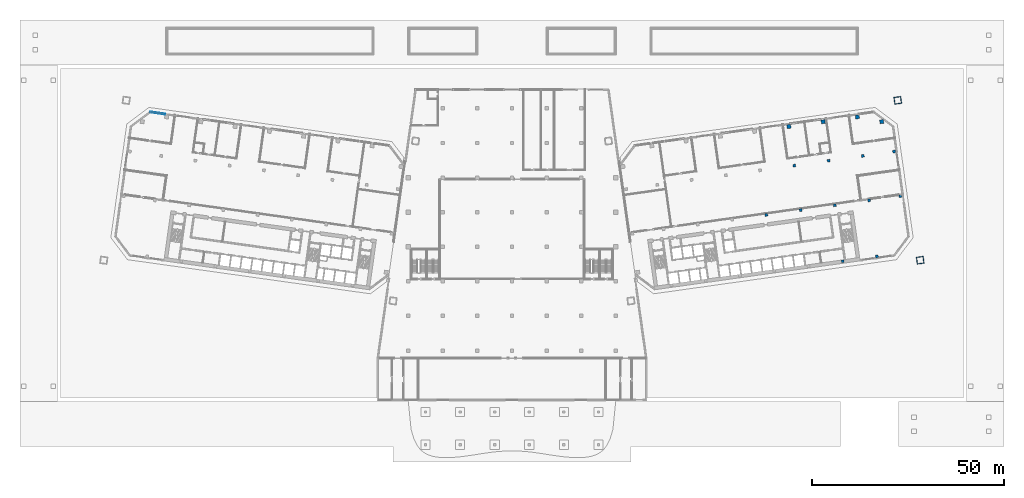
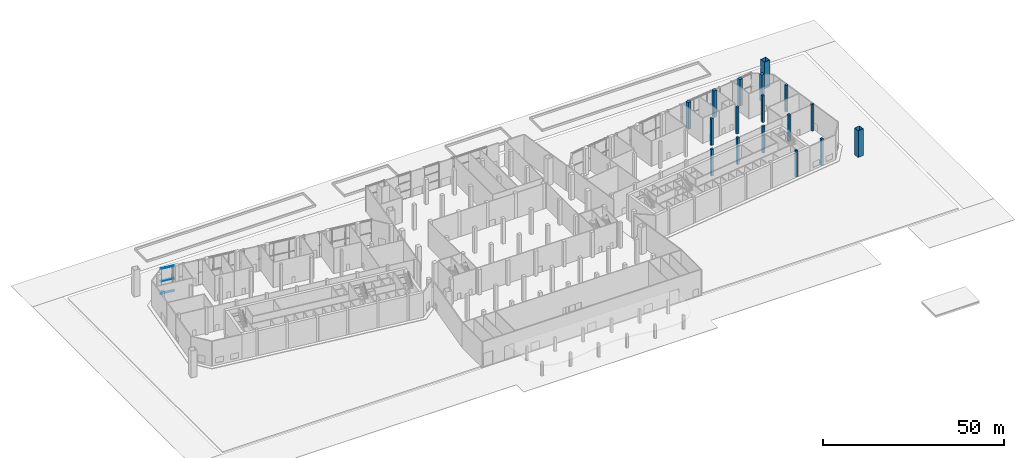
# One storey, part 3 of 34: 17 columns, 3 members, 1 element without a shape of its own.
"""IFC4 building model written with IfcOpenShell, lengths in metres."""

from ifc_helpers import new_model, si_unit, direction, frame, origin, origin_2d, place, context, subcontext, project, spatial, rectangle, hollow_rectangle, extrude, material, material_profile, profile_set, type_object, element, aggregate, save


model = new_model("IFC4")

# Units and contexts
model_context = context("Model", 3, precision=1e-05, world=origin(), true_north=direction((0.0, 1.0)))
body_context = subcontext(model_context, "Body", "Model", "MODEL_VIEW")
ifc_project = project(units=[si_unit("LENGTHUNIT", "METRE"), si_unit("AREAUNIT", "SQUARE_METRE"), si_unit("VOLUMEUNIT", "CUBIC_METRE"), si_unit("PLANEANGLEUNIT", "RADIAN"), si_unit("MASSUNIT", "GRAM", prefix="KILO")], contexts=[model_context])

# Site, building, storey
site_placement = place(None, origin())
site = spatial("IfcSite", under=ifc_project, at=site_placement, CompositionType="ELEMENT")
building_placement = place(site_placement, origin())
building = spatial("IfcBuilding", under=site, at=building_placement, Name="Mirante Cascada Hotel Towers", CompositionType="ELEMENT")
storey_placement = place(building_placement, origin())
storey = spatial("IfcBuildingStorey", under=building, at=storey_placement, Name="L00", CompositionType="ELEMENT", Elevation=0.0)

# Columns
ifc_material_1 = material(Name="Steel ASTM A572 Gr 50", Category="steel")
ifc_material_profile_1 = material_profile(ifc_material_1, hollow_rectangle(XDim=1.8, YDim=1.8, WallThickness=0.08, at=origin_2d()), Name="Box column 1800x1800x80 ASTM A572 Gr 50")
ifc_profile_set_1 = profile_set([ifc_material_profile_1], Name="Steel ASTM A572 Gr 50")
column_type_1 = type_object("IfcColumnType", Name="Box column 1800x1800x80 ASTM A572 Gr 50", PredefinedType="COLUMN", material=ifc_profile_set_1)
for number, where, z_axis, x_axis, name in (
    (1, (100.3572, 29.0944, 0.0), (0.0, 0.0, 1.0), (0.9902681, 0.1391731, 0.0), "Mega column MC3 T2 L00"),
    (2, (106.2025, -12.4968, 0.0), (0.0, 0.0, 1.0), (0.9902681, 0.1391731, 0.0), "Mega column MC4 T2 L00"),
):
    element("IfcColumn", number, at=place(storey_placement, frame(where, z_axis=z_axis, x_axis=x_axis)), inside=storey, type_object=column_type_1, Name=name, PredefinedType="COLUMN", context=body_context, shape_type="SweptSolid", body=[
        extrude(hollow_rectangle(XDim=1.8, YDim=1.8, WallThickness=0.08, at=origin_2d()), origin(), (0.0, 0.0, 1.0), 9.0),
    ])
ifc_material_2 = material(Name="Concrete C60/75", Category="concrete")
ifc_material_profile_2 = material_profile(ifc_material_2, rectangle(XDim=1.0, YDim=1.0, at=origin_2d()), Name="RC column 1000x1000 C60/75")
ifc_profile_set_2 = profile_set([ifc_material_profile_2], Name="Concrete C60/75")
column_type_2 = type_object("IfcColumnType", Name="RC column 1000x1000 C60/75", PredefinedType="COLUMN", material=ifc_profile_set_2)
for number, where, z_axis, x_axis, name in (
    (3, (72.0291, 22.2857, 0.0), (0.0, 0.0, 1.0), (0.9902681, 0.1391731, 0.0), "Column T2 L00 21"),
    (4, (80.9415, 23.5382, 0.0), (0.0, 0.0, 1.0), (0.9902681, 0.1391731, 0.0), "Column T2 L00 25"),
    (5, (89.8539, 24.7908, 0.0), (0.0, 0.0, 1.0), (0.9902681, 0.1391731, 0.0), "Column T2 L00 29"),
    (6, (96.1868, 23.5602, 0.0), (0.0, 0.0, 1.0), (0.9902681, 0.1391731, 0.0), "Column T2 L00 33"),
):
    element("IfcColumn", number, at=place(storey_placement, frame(where, z_axis=z_axis, x_axis=x_axis)), inside=storey, type_object=column_type_2, Name=name, PredefinedType="COLUMN", context=body_context, shape_type="SweptSolid", body=[
        extrude(rectangle(XDim=1.0, YDim=1.0, at=origin_2d()), origin(), (0.0, 0.0, 1.0), 9.0),
    ])
ifc_material_3 = material(Name="Concrete C60/75", Category="concrete")
ifc_material_profile_3 = material_profile(ifc_material_3, rectangle(XDim=0.7, YDim=0.7, at=origin_2d()), Name="RC column 700x700 C60/75")
ifc_profile_set_3 = profile_set([ifc_material_profile_3], Name="Concrete C60/75")
column_type_3 = type_object("IfcColumnType", Name="RC column 700x700 C60/75", PredefinedType="COLUMN", material=ifc_profile_set_3)
for number, where, z_axis, x_axis, name in (
    (7, (66.1716, -0.7033, 0.0), (0.0, 0.0, 1.0), (0.9902681, 0.1391731, 0.0), "Column T2 L00 19"),
    (8, (73.4556, 12.1354, 0.0), (0.0, 0.0, 1.0), (0.9902681, 0.1391731, 0.0), "Column T2 L00 22"),
    (9, (75.084, 0.5493, 0.0), (0.0, 0.0, 1.0), (0.9902681, 0.1391731, 0.0), "Column T2 L00 23"),
    (10, (82.368, 13.388, 0.0), (0.0, 0.0, 1.0), (0.9902681, 0.1391731, 0.0), "Column T2 L00 26"),
    (11, (83.9964, 1.8018, 0.0), (0.0, 0.0, 1.0), (0.9902681, 0.1391731, 0.0), "Column T2 L00 27"),
    (12, (86.0422, -12.7551, 0.0), (0.0, 0.0, 1.0), (0.9902681, 0.1391731, 0.0), "Column T2 L00 28"),
    (13, (91.2805, 14.6405, 0.0), (0.0, 0.0, 1.0), (0.9902681, 0.1391731, 0.0), "Column T2 L00 30"),
    (14, (92.9088, 3.0544, 0.0), (0.0, 0.0, 1.0), (0.9902681, 0.1391731, 0.0), "Column T2 L00 31"),
    (15, (94.9546, -11.5025, 0.0), (0.0, 0.0, 1.0), (0.9902681, 0.1391731, 0.0), "Column T2 L00 32"),
    (16, (99.4007, 15.7818, 0.0), (0.0, 0.0, 1.0), (0.9902681, 0.1391731, 0.0), "Column T2 L00 34"),
    (17, (101.029, 4.1956, 0.0), (0.0, 0.0, 1.0), (0.9902681, 0.1391731, 0.0), "Column T2 L00 35"),
):
    element("IfcColumn", number, at=place(storey_placement, frame(where, z_axis=z_axis, x_axis=x_axis)), inside=storey, type_object=column_type_3, Name=name, PredefinedType="COLUMN", context=body_context, shape_type="SweptSolid", body=[
        extrude(rectangle(XDim=0.7, YDim=0.7, at=origin_2d()), origin(), (0.0, 0.0, 1.0), 9.0),
    ])

# Curtain wall, members
ifc_material_4 = material(Name="Aluminium mullion and transom frame with clear laminated glass", Category="aluminium")
curtain_wall_type = type_object("IfcCurtainWallType", Name="Podium curtain wall ECW3", PredefinedType="NOTDEFINED", material=ifc_material_4)
curtain_wall_placement = place(storey_placement, origin())
curtain_wall = element("IfcCurtainWall", 18, at=curtain_wall_placement, inside=storey, type_object=curtain_wall_type, Name="Podium curtain wall L00 run front.1", PredefinedType="NOTDEFINED")
ifc_material_5 = material(Name="Anodised aluminium extrusion", Category="aluminium")
ifc_material_profile_4 = material_profile(ifc_material_5, rectangle(XDim=0.22, YDim=0.12, at=origin_2d()), Name="ECW3 TRANSOM 120x220")
ifc_profile_set_4 = profile_set([ifc_material_profile_4], Name="Anodised aluminium extrusion")
member_type = type_object("IfcMemberType", Name="ECW3 transom 120x220", PredefinedType="USERDEFINED", material=ifc_profile_set_4)
member_1_placement = place(storey_placement, frame((-94.1582, 26.0521, 0.06), z_axis=(0.990267, -0.1391805, 0.0), x_axis=(0.1391805, 0.990267, 0.0)))
member_1 = element("IfcMember", 19, at=member_1_placement, type_object=member_type, Name="ECW3 sill transom", ObjectType="TRANSOM", PredefinedType="USERDEFINED", context=body_context, shape_type="SweptSolid", body=[
    extrude(rectangle(XDim=0.22, YDim=0.12, at=origin_2d()), origin(), (0.0, 0.0, 1.0), 3.9179),
])
member_2_placement = place(storey_placement, frame((-94.1582, 26.0521, 4.25), z_axis=(0.990267, -0.1391805, 0.0), x_axis=(0.1391805, 0.990267, 0.0)))
member_2 = element("IfcMember", 20, at=member_2_placement, type_object=member_type, Name="ECW3 intermediate transom", ObjectType="TRANSOM", PredefinedType="USERDEFINED", context=body_context, shape_type="SweptSolid", body=[
    extrude(rectangle(XDim=0.22, YDim=0.12, at=origin_2d()), origin(), (0.0, 0.0, 1.0), 3.9179),
])
member_3_placement = place(storey_placement, frame((-94.1582, 26.0521, 8.44), z_axis=(0.990267, -0.1391805, 0.0), x_axis=(0.1391805, 0.990267, 0.0)))
member_3 = element("IfcMember", 21, at=member_3_placement, type_object=member_type, Name="ECW3 head transom", ObjectType="TRANSOM", PredefinedType="USERDEFINED", context=body_context, shape_type="SweptSolid", body=[
    extrude(rectangle(XDim=0.22, YDim=0.12, at=origin_2d()), origin(), (0.0, 0.0, 1.0), 3.9179),
])
aggregate(curtain_wall, [member_1, member_2, member_3])

save(model, "model.ifc")
